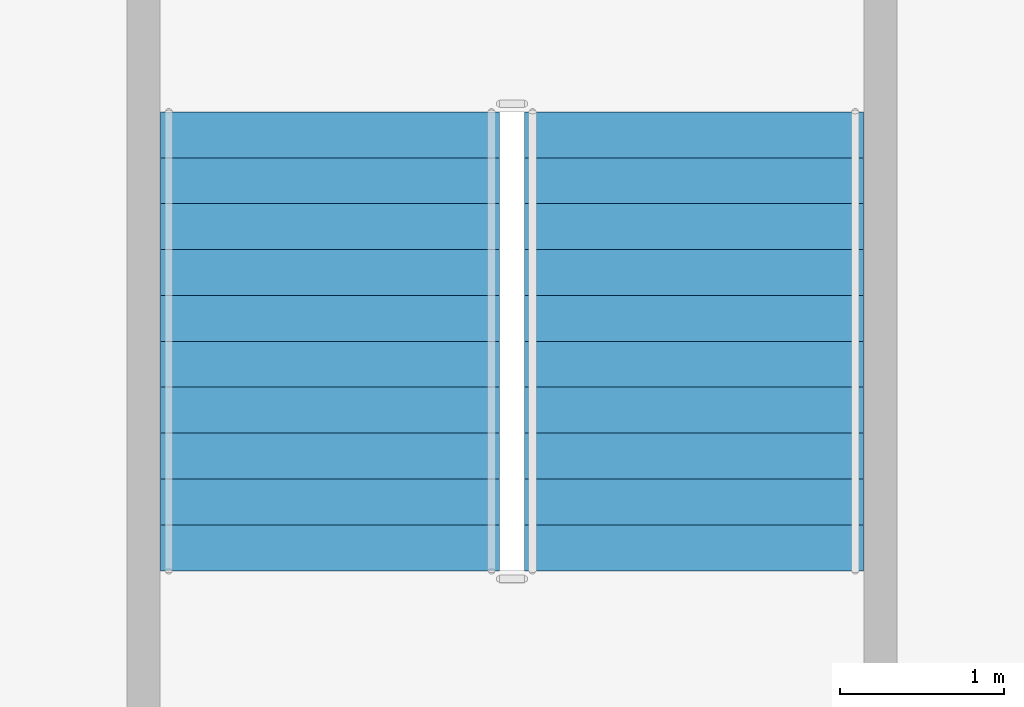
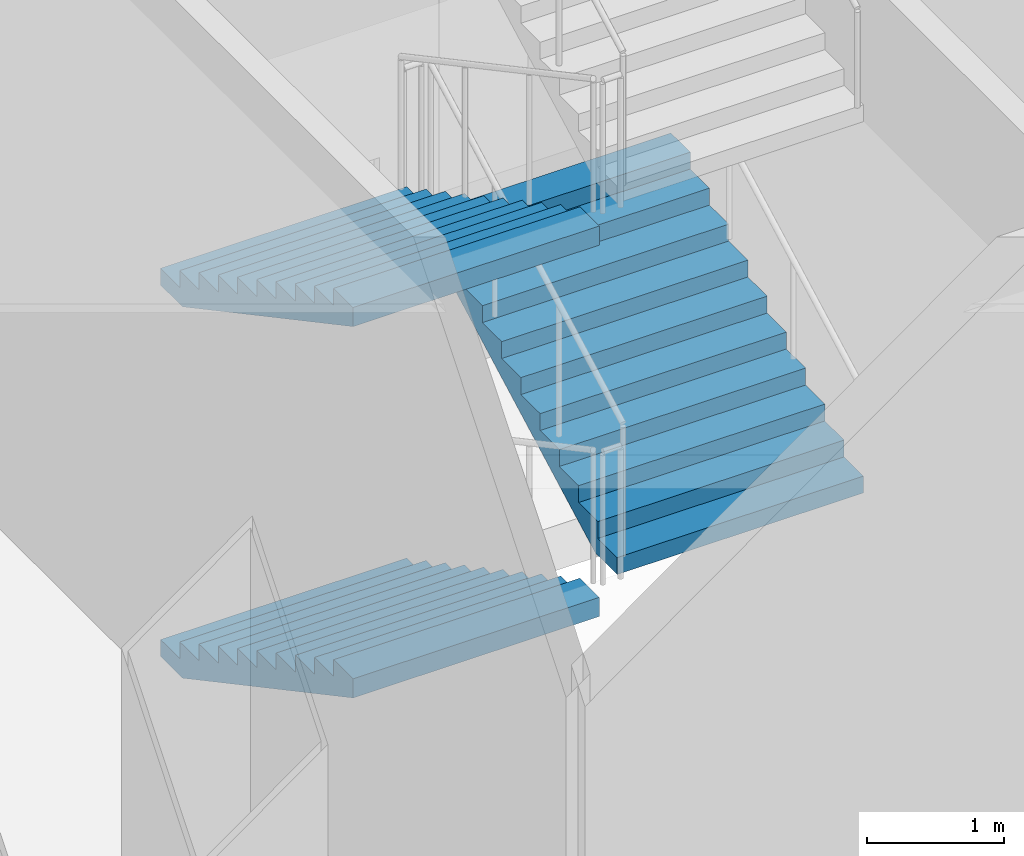
# One storey, part 26 of 38: 3 stair flights, 1 element without a shape of its own.
"""IFC4 building model written with IfcOpenShell, lengths in metres."""

import ifcopenshell
import ifcopenshell.guid

model = None  # the IFC model being written
_history = None  # IfcOwnerHistory: only IFC2X3 demands one
_inside = {}  # id of a spatial element -> (the spatial element, [elements in it])
_under = {}  # id of a project, library or spatial element -> (it, [spatial elements below it])
_declared = {}  # id of a project -> (the project, [libraries it declares])
_typed = {}  # id of a type object -> (the type object, [elements of that type])
_made_of = {}  # id of a material, layer set ... -> (it, [elements and type objects made of it])


def new_model(schema):
    """Start an empty IFC model of exactly this schema.

    Asked for "IFC4X3", IfcOpenShell would pick the latest addendum, in which some entities
    have other attributes; the version numbers below select the first issue.
    IFC2X3 requires an IfcOwnerHistory on every rooted entity: one is made here for all.
    """
    global model, _history
    if schema == "IFC4X3":
        model = ifcopenshell.file(schema_version=(4, 3, 0, 0))
    else:
        model = ifcopenshell.file(schema=schema)
    _inside.clear()
    _under.clear()
    _declared.clear()
    _typed.clear()
    _made_of.clear()
    _history = None
    if model.schema == "IFC2X3":
        org = make("IfcOrganization", Name="unknown")
        user = make(
            "IfcPersonAndOrganization",
            ThePerson=make("IfcPerson", FamilyName="unknown"),
            TheOrganization=org,
        )
        app = make(
            "IfcApplication",
            ApplicationDeveloper=org,
            Version="unknown",
            ApplicationFullName="unknown",
            ApplicationIdentifier="unknown",
        )
        _history = make(
            "IfcOwnerHistory",
            OwningUser=user,
            OwningApplication=app,
            ChangeAction="ADDED",
            CreationDate=0,
        )
    return model


def make(cls, **values):
    """One entity of the class cls with the attributes given. An attribute that is None is left unset."""
    return model.create_entity(
        cls, **{name: value for name, value in values.items() if value is not None}
    )


def rooted(cls, **values):
    """An entity with a GlobalId (a new one), such as an element, a storey or a relation."""
    return make(cls, GlobalId=ifcopenshell.guid.new(), OwnerHistory=_history, **values)


def si_unit(unit_type, name, prefix=None):
    """IfcSIUnit, for example si_unit("LENGTHUNIT", "METRE", prefix="MILLI")."""
    return make("IfcSIUnit", UnitType=unit_type, Prefix=prefix, Name=name)


def assignment(units):
    """IfcUnitAssignment: the units of a project."""
    return None if units is None else make("IfcUnitAssignment", Units=units)


def point(xyz):
    """IfcCartesianPoint."""
    return None if xyz is None else make("IfcCartesianPoint", Coordinates=xyz)


def direction(xyz):
    """IfcDirection."""
    return None if xyz is None else make("IfcDirection", DirectionRatios=xyz)


def frame(location, z_axis=None, x_axis=None):
    """IfcAxis2Placement3D, a coordinate frame: its origin and axes. An axis left out is left unset."""
    return make(
        "IfcAxis2Placement3D",
        Location=point(location),
        Axis=direction(z_axis),
        RefDirection=direction(x_axis),
    )


def origin():
    """The frame at (0, 0, 0) with its axes left unset."""
    return frame((0.0, 0.0, 0.0))


def place(relative_to, where):
    """IfcLocalPlacement: puts the frame where relative to a parent placement (None: the world)."""
    return make(
        "IfcLocalPlacement", PlacementRelTo=relative_to, RelativePlacement=where
    )


def context(
    kind, dimensions, precision=None, world=None, true_north=None, identifier=None
):
    """IfcGeometricRepresentationContext, for example the 3D "Model" context."""
    return make(
        "IfcGeometricRepresentationContext",
        ContextIdentifier=identifier,
        ContextType=kind,
        CoordinateSpaceDimension=dimensions,
        Precision=precision,
        WorldCoordinateSystem=world,
        TrueNorth=true_north,
    )


def subcontext(parent, identifier, kind, view, scale=None):
    """IfcGeometricRepresentationSubContext, for example "Body" below "Model"."""
    return make(
        "IfcGeometricRepresentationSubContext",
        ContextIdentifier=identifier,
        ContextType=kind,
        ParentContext=parent,
        TargetScale=scale,
        TargetView=view,
    )


def project(units=None, contexts=None):
    """IfcProject with its units and contexts."""
    return rooted(
        "IfcProject",
        Name="project",
        RepresentationContexts=contexts,
        UnitsInContext=assignment(units),
    )


def spatial(cls, under=None, at=None, **own):
    """A site, building, storey or space (cls), placed at a placement, below another one or the project."""
    s = rooted(cls, ObjectPlacement=at, **own)
    if under is not None:
        _under.setdefault(under.id(), (under, []))[1].append(s)
    return s


def point_list(points):
    """IfcCartesianPointList2D or 3D."""
    cls = (
        "IfcCartesianPointList2D" if len(points[0]) == 2 else "IfcCartesianPointList3D"
    )
    return make(cls, CoordList=points)


def polygons(points, faces, closed=None, point_numbers=None):
    """IfcPolygonalFaceSet: a face is its outer loop, then its inner loops; points numbered from 1."""
    made = []
    for loops in faces:
        if len(loops) == 1:
            made.append(make("IfcIndexedPolygonalFace", CoordIndex=loops[0]))
        else:
            made.append(
                make(
                    "IfcIndexedPolygonalFaceWithVoids",
                    CoordIndex=loops[0],
                    InnerCoordIndices=loops[1:],
                )
            )
    return make(
        "IfcPolygonalFaceSet",
        Coordinates=point_list(points),
        Closed=closed,
        Faces=made,
        PnIndex=point_numbers,
    )


def shape(context_of_items, identifier, shape_type, items):
    """IfcShapeRepresentation: the items that make up one representation, for example the "Body"."""
    return make(
        "IfcShapeRepresentation",
        ContextOfItems=context_of_items,
        RepresentationIdentifier=identifier,
        RepresentationType=shape_type,
        Items=items,
    )


def material(Name=None, Category=None):
    """IfcMaterial."""
    return make("IfcMaterial", Name=Name, Category=Category)


def made_of(thing, what):
    """Note that an element or type object is made of a material, layer set ...; save() writes the relation."""
    if what is not None:
        _made_of.setdefault(what.id(), (what, []))[1].append(thing)
    return thing


def type_object(cls, material=None, **own):
    """A type object (cls), such as IfcWallType, which elements share."""
    return made_of(rooted(cls, **own), material)


def element(
    cls,
    number,
    at=None,
    inside=None,
    cuts=None,
    type_object=None,
    material=None,
    context=None,
    identifier="Body",
    shape_type=None,
    held_by="IfcProductDefinitionShape",
    body=None,
    shapes=None,
    **own,
):
    """One element of the class cls, such as IfcWall. Its Tag is "e" and its number.

    at: its placement. inside: the storey or other place that contains it. cuts: it is an
    opening in that element (IfcRelVoidsElement). A single representation is given by context,
    identifier, shape_type and body (its items); several are given by shapes. held_by: the class
    of the entity that holds the representations. save() writes the other relations.
    """
    e = rooted(cls, Tag="e%d" % number, ObjectPlacement=at, **own)
    if body is not None:
        shapes = [shape(context, identifier, shape_type, body)]
    if shapes is not None:
        e.Representation = make(held_by, Representations=shapes)
    if inside is not None:
        _inside.setdefault(inside.id(), (inside, []))[1].append(e)
    if cuts is not None:
        rooted(
            "IfcRelVoidsElement", RelatingBuildingElement=cuts, RelatedOpeningElement=e
        )
    if type_object is not None:
        _typed.setdefault(type_object.id(), (type_object, []))[1].append(e)
    return made_of(e, material)


def aggregate(whole, parts):
    """IfcRelAggregates: a whole, such as a stair, and the parts it consists of."""
    return rooted("IfcRelAggregates", RelatingObject=whole, RelatedObjects=parts)


def save(model, path):
    """Write the relations noted so far, then the file.

    IfcRelAggregates (storeys below a building ...), IfcRelContainedInSpatialStructure (elements
    in a storey), IfcRelDefinesByType, IfcRelAssociatesMaterial and IfcRelDeclares: one each for
    every whole, place, type object, material and project.
    """
    for whole, parts in _under.values():
        aggregate(whole, parts)
    for where, things in _inside.values():
        rooted(
            "IfcRelContainedInSpatialStructure",
            RelatedElements=things,
            RelatingStructure=where,
        )
    for kind, things in _typed.values():
        rooted("IfcRelDefinesByType", RelatedObjects=things, RelatingType=kind)
    for what, things in _made_of.values():
        rooted("IfcRelAssociatesMaterial", RelatedObjects=things, RelatingMaterial=what)
    for by, libraries in _declared.values():
        rooted("IfcRelDeclares", RelatingContext=by, RelatedDefinitions=libraries)
    model.write(path)


model = new_model("IFC4")

# Units and contexts
model_context = context("Model", 3, precision=1e-05, world=origin(), true_north=direction((0.0, 1.0)))
body_context = subcontext(model_context, "Body", "Model", "MODEL_VIEW")
ifc_project = project(units=[si_unit("LENGTHUNIT", "METRE"), si_unit("AREAUNIT", "SQUARE_METRE"), si_unit("VOLUMEUNIT", "CUBIC_METRE"), si_unit("PLANEANGLEUNIT", "RADIAN"), si_unit("MASSUNIT", "GRAM", prefix="KILO")], contexts=[model_context])

# Site, building, storey
site_placement = place(None, origin())
site = spatial("IfcSite", under=ifc_project, at=site_placement, CompositionType="ELEMENT")
building_placement = place(site_placement, origin())
building = spatial("IfcBuilding", under=site, at=building_placement, Name="Caravel Reach Hotel and Residences", CompositionType="ELEMENT")
storey_placement = place(building_placement, origin())
storey = spatial("IfcBuildingStorey", under=building, at=storey_placement, Name="L00", CompositionType="ELEMENT", Elevation=0.0)

# Stair, stair flights
ifc_material_1 = material(Name="Concrete C40", Category="concrete")
stair_type = type_object("IfcStairType", Name="Core stair", PredefinedType="HALF_TURN_STAIR", material=ifc_material_1)
stair_placement = place(storey_placement, origin())
stair = element("IfcStair", 1, at=stair_placement, inside=storey, type_object=stair_type, Name="L00 Exit stair P2", PredefinedType="HALF_TURN_STAIR")
ifc_material_2 = material(Name="Concrete C40", Category="concrete")
stair_flight_type = type_object("IfcStairFlightType", Name="Core stair flight", PredefinedType="STRAIGHT", material=ifc_material_2)
stair_flight_1_placement = place(storey_placement, frame((52.889892578125, 41.010009765625, 0.0), z_axis=(0.0, 0.0, 1.0), x_axis=(0.0, -1.0, 0.0)))
stair_flight_1 = element("IfcStairFlight", 2, at=stair_flight_1_placement, type_object=stair_flight_type, Name="ST-P2 flight 1", NumberOfRisers=11, NumberOfTreads=10, PredefinedType="STRAIGHT", RiserHeight=0.15, TreadLength=0.28, context=body_context, shape_type="Tessellation", body=[
    polygons([(0.3174408016601862, 1.0350341796875, 0.0), (0.3174408016601862, 0.6900227864583333, 0.0), (0.3174408016601862, 0.34501139322916663, 0.0), (0.3174408016601862, 0.0, 0.0), (0.3174408016601862, -0.34501139322916674, 0.0), (0.3174408016601862, -0.6900227864583333, 0.0), (0.3174408016601862, -1.0350341796875, 0.0), (2.801, 1.0350341796875, 1.329942427682043), (2.801, 0.6900227864583333, 1.329942427682043), (2.801, 0.34501139322916663, 1.329942427682043), (2.801, 0.0, 1.329942427682043), (2.801, -0.34501139322916674, 1.329942427682043), (2.801, -0.6900227864583333, 1.329942427682043), (2.801, -1.0350341796875, 1.329942427682043), (2.801, 1.0350341796875, 1.5), (2.801, 0.6900227864583333, 1.5), (2.801, 0.34501139322916663, 1.5), (2.801, 0.0, 1.5), (2.801, -0.34501139322916674, 1.5), (2.801, -0.6900227864583333, 1.5), (2.801, -1.0350341796875, 1.5), (2.5200000000000005, 1.0350341796875, 1.5), (2.5200000000000005, 0.6900227864583333, 1.5), (2.5200000000000005, 0.34501139322916663, 1.5), (2.5200000000000005, 0.0, 1.5), (2.5200000000000005, -0.34501139322916674, 1.5), (2.5200000000000005, -0.6900227864583333, 1.5), (2.5200000000000005, -1.0350341796875, 1.5), (2.5200000000000005, 1.0350341796875, 1.3499999999999999), (2.5200000000000005, 0.6900227864583333, 1.3499999999999999), (2.5200000000000005, 0.34501139322916663, 1.3499999999999999), (2.5200000000000005, 0.0, 1.3499999999999999), (2.5200000000000005, -0.34501139322916674, 1.3499999999999999), (2.5200000000000005, -0.6900227864583333, 1.3499999999999999), (2.5200000000000005, -1.0350341796875, 1.3499999999999999), (2.24, 1.0350341796875, 1.3499999999999999), (2.24, 0.6900227864583333, 1.3499999999999999), (2.24, 0.34501139322916663, 1.3499999999999999), (2.24, 0.0, 1.3499999999999999), (2.24, -0.34501139322916674, 1.3499999999999999), (2.24, -0.6900227864583333, 1.3499999999999999), (2.24, -1.0350341796875, 1.3499999999999999), (2.24, 1.0350341796875, 1.2), (2.24, 0.6900227864583333, 1.2), (2.24, 0.34501139322916663, 1.2), (2.24, 0.0, 1.2), (2.24, -0.34501139322916674, 1.2), (2.24, -0.6900227864583333, 1.2), (2.24, -1.0350341796875, 1.2), (1.9600000000000002, 1.0350341796875, 1.2), (1.9600000000000002, 0.6900227864583333, 1.2), (1.9600000000000002, 0.34501139322916663, 1.2), (1.9600000000000002, 0.0, 1.2), (1.9600000000000002, -0.34501139322916674, 1.2), (1.9600000000000002, -0.6900227864583333, 1.2), (1.9600000000000002, -1.0350341796875, 1.2), (1.9600000000000002, 1.0350341796875, 1.05), (1.9600000000000002, 0.6900227864583333, 1.05), (1.9600000000000002, 0.34501139322916663, 1.05), (1.9600000000000002, 0.0, 1.05), (1.9600000000000002, -0.34501139322916674, 1.05), (1.9600000000000002, -0.6900227864583333, 1.05), (1.9600000000000002, -1.0350341796875, 1.05), (1.6800000000000002, 1.0350341796875, 1.05), (1.6800000000000002, 0.6900227864583333, 1.05), (1.6800000000000002, 0.34501139322916663, 1.05), (1.6800000000000002, 0.0, 1.05), (1.6800000000000002, -0.34501139322916674, 1.05), (1.6800000000000002, -0.6900227864583333, 1.05), (1.6800000000000002, -1.0350341796875, 1.05), (1.6800000000000002, 1.0350341796875, 0.8999999999999999), (1.6800000000000002, 0.6900227864583333, 0.8999999999999999), (1.6800000000000002, 0.34501139322916663, 0.8999999999999999), (1.6800000000000002, 0.0, 0.8999999999999999), (1.6800000000000002, -0.34501139322916674, 0.8999999999999999), (1.6800000000000002, -0.6900227864583333, 0.8999999999999999), (1.6800000000000002, -1.0350341796875, 0.8999999999999999), (1.4000000000000001, 1.0350341796875, 0.8999999999999999), (1.4000000000000001, 0.6900227864583333, 0.8999999999999999), (1.4000000000000001, 0.34501139322916663, 0.8999999999999999), (1.4000000000000001, 0.0, 0.8999999999999999), (1.4000000000000001, -0.34501139322916674, 0.8999999999999999), (1.4000000000000001, -0.6900227864583333, 0.8999999999999999), (1.4000000000000001, -1.0350341796875, 0.8999999999999999), (1.4000000000000001, 1.0350341796875, 0.75), (1.4000000000000001, 0.6900227864583333, 0.75), (1.4000000000000001, 0.34501139322916663, 0.75), (1.4000000000000001, 0.0, 0.75), (1.4000000000000001, -0.34501139322916674, 0.75), (1.4000000000000001, -0.6900227864583333, 0.75), (1.4000000000000001, -1.0350341796875, 0.75), (1.12, 1.0350341796875, 0.75), (1.12, 0.6900227864583333, 0.75), (1.12, 0.34501139322916663, 0.75), (1.12, 0.0, 0.75), (1.12, -0.34501139322916674, 0.75), (1.12, -0.6900227864583333, 0.75), (1.12, -1.0350341796875, 0.75), (1.12, 1.0350341796875, 0.6), (1.12, 0.6900227864583333, 0.6), (1.12, 0.34501139322916663, 0.6), (1.12, 0.0, 0.6), (1.12, -0.34501139322916674, 0.6), (1.12, -0.6900227864583333, 0.6), (1.12, -1.0350341796875, 0.6), (0.8400000000000001, 1.0350341796875, 0.6), (0.8400000000000001, 0.6900227864583333, 0.6), (0.8400000000000001, 0.34501139322916663, 0.6), (0.8400000000000001, 0.0, 0.6), (0.8400000000000001, -0.34501139322916674, 0.6), (0.8400000000000001, -0.6900227864583333, 0.6), (0.8400000000000001, -1.0350341796875, 0.6), (0.8400000000000001, 1.0350341796875, 0.44999999999999996), (0.8400000000000001, 0.6900227864583333, 0.44999999999999996), (0.8400000000000001, 0.34501139322916663, 0.44999999999999996), (0.8400000000000001, 0.0, 0.44999999999999996), (0.8400000000000001, -0.34501139322916674, 0.44999999999999996), (0.8400000000000001, -0.6900227864583333, 0.44999999999999996), (0.8400000000000001, -1.0350341796875, 0.44999999999999996), (0.56, 1.0350341796875, 0.44999999999999996), (0.56, 0.6900227864583333, 0.44999999999999996), (0.56, 0.34501139322916663, 0.44999999999999996), (0.56, 0.0, 0.44999999999999996), (0.56, -0.34501139322916674, 0.44999999999999996), (0.56, -0.6900227864583333, 0.44999999999999996), (0.56, -1.0350341796875, 0.44999999999999996), (0.56, 1.0350341796875, 0.3), (0.56, 0.6900227864583333, 0.3), (0.56, 0.34501139322916663, 0.3), (0.56, 0.0, 0.3), (0.56, -0.34501139322916674, 0.3), (0.56, -0.6900227864583333, 0.3), (0.56, -1.0350341796875, 0.3), (0.28, 1.0350341796875, 0.3), (0.28, 0.6900227864583333, 0.3), (0.28, 0.34501139322916663, 0.3), (0.28, 0.0, 0.3), (0.28, -0.34501139322916674, 0.3), (0.28, -0.6900227864583333, 0.3), (0.28, -1.0350341796875, 0.3), (0.28, 1.0350341796875, 0.15), (0.28, 0.6900227864583333, 0.15), (0.28, 0.34501139322916663, 0.15), (0.28, 0.0, 0.15), (0.28, -0.34501139322916674, 0.15), (0.28, -0.6900227864583333, 0.15), (0.28, -1.0350341796875, 0.15), (-0.001, 1.0350341796875, 0.15), (-0.001, 0.6900227864583333, 0.15), (-0.001, 0.34501139322916663, 0.15), (-0.001, 0.0, 0.15), (-0.001, -0.34501139322916674, 0.15), (-0.001, -0.6900227864583333, 0.15), (-0.001, -1.0350341796875, 0.15), (-0.001, 1.0350341796875, 0.0), (-0.001, 0.6900227864583333, 0.0), (-0.001, 0.34501139322916663, 0.0), (-0.001, 0.0, 0.0), (-0.001, -0.34501139322916674, 0.0), (-0.001, -0.6900227864583333, 0.0), (-0.001, -1.0350341796875, 0.0)], [[[155, 148, 141, 134, 127, 120, 113, 106, 99, 92, 85, 78, 71, 64, 57, 50, 43, 36, 29, 22, 15, 8, 1]], [[7, 14, 21, 28, 35, 42, 49, 56, 63, 70, 77, 84, 91, 98, 105, 112, 119, 126, 133, 140, 147, 154, 161]], [[1, 8, 9, 2]], [[2, 9, 10, 3]], [[3, 10, 11, 4]], [[4, 11, 12, 5]], [[5, 12, 13, 6]], [[6, 13, 14, 7]], [[8, 15, 16, 9]], [[9, 16, 17, 10]], [[10, 17, 18, 11]], [[11, 18, 19, 12]], [[12, 19, 20, 13]], [[13, 20, 21, 14]], [[15, 22, 23, 16]], [[16, 23, 24, 17]], [[17, 24, 25, 18]], [[18, 25, 26, 19]], [[19, 26, 27, 20]], [[20, 27, 28, 21]], [[22, 29, 30, 23]], [[23, 30, 31, 24]], [[24, 31, 32, 25]], [[25, 32, 33, 26]], [[26, 33, 34, 27]], [[27, 34, 35, 28]], [[29, 36, 37, 30]], [[30, 37, 38, 31]], [[31, 38, 39, 32]], [[32, 39, 40, 33]], [[33, 40, 41, 34]], [[34, 41, 42, 35]], [[36, 43, 44, 37]], [[37, 44, 45, 38]], [[38, 45, 46, 39]], [[39, 46, 47, 40]], [[40, 47, 48, 41]], [[41, 48, 49, 42]], [[43, 50, 51, 44]], [[44, 51, 52, 45]], [[45, 52, 53, 46]], [[46, 53, 54, 47]], [[47, 54, 55, 48]], [[48, 55, 56, 49]], [[50, 57, 58, 51]], [[51, 58, 59, 52]], [[52, 59, 60, 53]], [[53, 60, 61, 54]], [[54, 61, 62, 55]], [[55, 62, 63, 56]], [[57, 64, 65, 58]], [[58, 65, 66, 59]], [[59, 66, 67, 60]], [[60, 67, 68, 61]], [[61, 68, 69, 62]], [[62, 69, 70, 63]], [[64, 71, 72, 65]], [[65, 72, 73, 66]], [[66, 73, 74, 67]], [[67, 74, 75, 68]], [[68, 75, 76, 69]], [[69, 76, 77, 70]], [[71, 78, 79, 72]], [[72, 79, 80, 73]], [[73, 80, 81, 74]], [[74, 81, 82, 75]], [[75, 82, 83, 76]], [[76, 83, 84, 77]], [[78, 85, 86, 79]], [[79, 86, 87, 80]], [[80, 87, 88, 81]], [[81, 88, 89, 82]], [[82, 89, 90, 83]], [[83, 90, 91, 84]], [[85, 92, 93, 86]], [[86, 93, 94, 87]], [[87, 94, 95, 88]], [[88, 95, 96, 89]], [[89, 96, 97, 90]], [[90, 97, 98, 91]], [[92, 99, 100, 93]], [[93, 100, 101, 94]], [[94, 101, 102, 95]], [[95, 102, 103, 96]], [[96, 103, 104, 97]], [[97, 104, 105, 98]], [[99, 106, 107, 100]], [[100, 107, 108, 101]], [[101, 108, 109, 102]], [[102, 109, 110, 103]], [[103, 110, 111, 104]], [[104, 111, 112, 105]], [[106, 113, 114, 107]], [[107, 114, 115, 108]], [[108, 115, 116, 109]], [[109, 116, 117, 110]], [[110, 117, 118, 111]], [[111, 118, 119, 112]], [[113, 120, 121, 114]], [[114, 121, 122, 115]], [[115, 122, 123, 116]], [[116, 123, 124, 117]], [[117, 124, 125, 118]], [[118, 125, 126, 119]], [[120, 127, 128, 121]], [[121, 128, 129, 122]], [[122, 129, 130, 123]], [[123, 130, 131, 124]], [[124, 131, 132, 125]], [[125, 132, 133, 126]], [[127, 134, 135, 128]], [[128, 135, 136, 129]], [[129, 136, 137, 130]], [[130, 137, 138, 131]], [[131, 138, 139, 132]], [[132, 139, 140, 133]], [[134, 141, 142, 135]], [[135, 142, 143, 136]], [[136, 143, 144, 137]], [[137, 144, 145, 138]], [[138, 145, 146, 139]], [[139, 146, 147, 140]], [[141, 148, 149, 142]], [[142, 149, 150, 143]], [[143, 150, 151, 144]], [[144, 151, 152, 145]], [[145, 152, 153, 146]], [[146, 153, 154, 147]], [[148, 155, 156, 149]], [[149, 156, 157, 150]], [[150, 157, 158, 151]], [[151, 158, 159, 152]], [[152, 159, 160, 153]], [[153, 160, 161, 154]], [[155, 1, 2, 156]], [[156, 2, 3, 157]], [[157, 3, 4, 158]], [[158, 4, 5, 159]], [[159, 5, 6, 160]], [[160, 6, 7, 161]]], closed=True),
])
stair_flight_2_placement = place(storey_placement, frame((55.110107421875, 38.2099609375, 1.64990234375), z_axis=(0.0, 0.0, 1.0), x_axis=(0.0, 1.0, 0.0)))
stair_flight_2 = element("IfcStairFlight", 3, at=stair_flight_2_placement, type_object=stair_flight_type, Name="ST-P2 flight 2", NumberOfRisers=11, NumberOfTreads=10, PredefinedType="STRAIGHT", RiserHeight=0.15, TreadLength=0.28, context=body_context, shape_type="Tessellation", body=[
    polygons([(0.3174408016601862, 1.0350341796875, 0.0), (0.3174408016601862, 0.6900227864583333, 0.0), (0.3174408016601862, 0.34501139322916663, 0.0), (0.3174408016601862, 0.0, 0.0), (0.3174408016601862, -0.34501139322916674, 0.0), (0.3174408016601862, -0.6900227864583333, 0.0), (0.3174408016601862, -1.0350341796875, 0.0), (2.801, 1.0350341796875, 1.329942427682043), (2.801, 0.6900227864583333, 1.329942427682043), (2.801, 0.34501139322916663, 1.329942427682043), (2.801, 0.0, 1.329942427682043), (2.801, -0.34501139322916674, 1.329942427682043), (2.801, -0.6900227864583333, 1.329942427682043), (2.801, -1.0350341796875, 1.329942427682043), (2.801, 1.0350341796875, 1.5), (2.801, 0.6900227864583333, 1.5), (2.801, 0.34501139322916663, 1.5), (2.801, 0.0, 1.5), (2.801, -0.34501139322916674, 1.5), (2.801, -0.6900227864583333, 1.5), (2.801, -1.0350341796875, 1.5), (2.5200000000000005, 1.0350341796875, 1.5), (2.5200000000000005, 0.6900227864583333, 1.5), (2.5200000000000005, 0.34501139322916663, 1.5), (2.5200000000000005, 0.0, 1.5), (2.5200000000000005, -0.34501139322916674, 1.5), (2.5200000000000005, -0.6900227864583333, 1.5), (2.5200000000000005, -1.0350341796875, 1.5), (2.5200000000000005, 1.0350341796875, 1.3499999999999999), (2.5200000000000005, 0.6900227864583333, 1.3499999999999999), (2.5200000000000005, 0.34501139322916663, 1.3499999999999999), (2.5200000000000005, 0.0, 1.3499999999999999), (2.5200000000000005, -0.34501139322916674, 1.3499999999999999), (2.5200000000000005, -0.6900227864583333, 1.3499999999999999), (2.5200000000000005, -1.0350341796875, 1.3499999999999999), (2.24, 1.0350341796875, 1.3499999999999999), (2.24, 0.6900227864583333, 1.3499999999999999), (2.24, 0.34501139322916663, 1.3499999999999999), (2.24, 0.0, 1.3499999999999999), (2.24, -0.34501139322916674, 1.3499999999999999), (2.24, -0.6900227864583333, 1.3499999999999999), (2.24, -1.0350341796875, 1.3499999999999999), (2.24, 1.0350341796875, 1.2), (2.24, 0.6900227864583333, 1.2), (2.24, 0.34501139322916663, 1.2), (2.24, 0.0, 1.2), (2.24, -0.34501139322916674, 1.2), (2.24, -0.6900227864583333, 1.2), (2.24, -1.0350341796875, 1.2), (1.9600000000000002, 1.0350341796875, 1.2), (1.9600000000000002, 0.6900227864583333, 1.2), (1.9600000000000002, 0.34501139322916663, 1.2), (1.9600000000000002, 0.0, 1.2), (1.9600000000000002, -0.34501139322916674, 1.2), (1.9600000000000002, -0.6900227864583333, 1.2), (1.9600000000000002, -1.0350341796875, 1.2), (1.9600000000000002, 1.0350341796875, 1.05), (1.9600000000000002, 0.6900227864583333, 1.05), (1.9600000000000002, 0.34501139322916663, 1.05), (1.9600000000000002, 0.0, 1.05), (1.9600000000000002, -0.34501139322916674, 1.05), (1.9600000000000002, -0.6900227864583333, 1.05), (1.9600000000000002, -1.0350341796875, 1.05), (1.6800000000000002, 1.0350341796875, 1.05), (1.6800000000000002, 0.6900227864583333, 1.05), (1.6800000000000002, 0.34501139322916663, 1.05), (1.6800000000000002, 0.0, 1.05), (1.6800000000000002, -0.34501139322916674, 1.05), (1.6800000000000002, -0.6900227864583333, 1.05), (1.6800000000000002, -1.0350341796875, 1.05), (1.6800000000000002, 1.0350341796875, 0.8999999999999999), (1.6800000000000002, 0.6900227864583333, 0.8999999999999999), (1.6800000000000002, 0.34501139322916663, 0.8999999999999999), (1.6800000000000002, 0.0, 0.8999999999999999), (1.6800000000000002, -0.34501139322916674, 0.8999999999999999), (1.6800000000000002, -0.6900227864583333, 0.8999999999999999), (1.6800000000000002, -1.0350341796875, 0.8999999999999999), (1.4000000000000001, 1.0350341796875, 0.8999999999999999), (1.4000000000000001, 0.6900227864583333, 0.8999999999999999), (1.4000000000000001, 0.34501139322916663, 0.8999999999999999), (1.4000000000000001, 0.0, 0.8999999999999999), (1.4000000000000001, -0.34501139322916674, 0.8999999999999999), (1.4000000000000001, -0.6900227864583333, 0.8999999999999999), (1.4000000000000001, -1.0350341796875, 0.8999999999999999), (1.4000000000000001, 1.0350341796875, 0.75), (1.4000000000000001, 0.6900227864583333, 0.75), (1.4000000000000001, 0.34501139322916663, 0.75), (1.4000000000000001, 0.0, 0.75), (1.4000000000000001, -0.34501139322916674, 0.75), (1.4000000000000001, -0.6900227864583333, 0.75), (1.4000000000000001, -1.0350341796875, 0.75), (1.12, 1.0350341796875, 0.75), (1.12, 0.6900227864583333, 0.75), (1.12, 0.34501139322916663, 0.75), (1.12, 0.0, 0.75), (1.12, -0.34501139322916674, 0.75), (1.12, -0.6900227864583333, 0.75), (1.12, -1.0350341796875, 0.75), (1.12, 1.0350341796875, 0.6), (1.12, 0.6900227864583333, 0.6), (1.12, 0.34501139322916663, 0.6), (1.12, 0.0, 0.6), (1.12, -0.34501139322916674, 0.6), (1.12, -0.6900227864583333, 0.6), (1.12, -1.0350341796875, 0.6), (0.8400000000000001, 1.0350341796875, 0.6), (0.8400000000000001, 0.6900227864583333, 0.6), (0.8400000000000001, 0.34501139322916663, 0.6), (0.8400000000000001, 0.0, 0.6), (0.8400000000000001, -0.34501139322916674, 0.6), (0.8400000000000001, -0.6900227864583333, 0.6), (0.8400000000000001, -1.0350341796875, 0.6), (0.8400000000000001, 1.0350341796875, 0.44999999999999996), (0.8400000000000001, 0.6900227864583333, 0.44999999999999996), (0.8400000000000001, 0.34501139322916663, 0.44999999999999996), (0.8400000000000001, 0.0, 0.44999999999999996), (0.8400000000000001, -0.34501139322916674, 0.44999999999999996), (0.8400000000000001, -0.6900227864583333, 0.44999999999999996), (0.8400000000000001, -1.0350341796875, 0.44999999999999996), (0.56, 1.0350341796875, 0.44999999999999996), (0.56, 0.6900227864583333, 0.44999999999999996), (0.56, 0.34501139322916663, 0.44999999999999996), (0.56, 0.0, 0.44999999999999996), (0.56, -0.34501139322916674, 0.44999999999999996), (0.56, -0.6900227864583333, 0.44999999999999996), (0.56, -1.0350341796875, 0.44999999999999996), (0.56, 1.0350341796875, 0.3), (0.56, 0.6900227864583333, 0.3), (0.56, 0.34501139322916663, 0.3), (0.56, 0.0, 0.3), (0.56, -0.34501139322916674, 0.3), (0.56, -0.6900227864583333, 0.3), (0.56, -1.0350341796875, 0.3), (0.28, 1.0350341796875, 0.3), (0.28, 0.6900227864583333, 0.3), (0.28, 0.34501139322916663, 0.3), (0.28, 0.0, 0.3), (0.28, -0.34501139322916674, 0.3), (0.28, -0.6900227864583333, 0.3), (0.28, -1.0350341796875, 0.3), (0.28, 1.0350341796875, 0.15), (0.28, 0.6900227864583333, 0.15), (0.28, 0.34501139322916663, 0.15), (0.28, 0.0, 0.15), (0.28, -0.34501139322916674, 0.15), (0.28, -0.6900227864583333, 0.15), (0.28, -1.0350341796875, 0.15), (-0.001, 1.0350341796875, 0.15), (-0.001, 0.6900227864583333, 0.15), (-0.001, 0.34501139322916663, 0.15), (-0.001, 0.0, 0.15), (-0.001, -0.34501139322916674, 0.15), (-0.001, -0.6900227864583333, 0.15), (-0.001, -1.0350341796875, 0.15), (-0.001, 1.0350341796875, 0.0), (-0.001, 0.6900227864583333, 0.0), (-0.001, 0.34501139322916663, 0.0), (-0.001, 0.0, 0.0), (-0.001, -0.34501139322916674, 0.0), (-0.001, -0.6900227864583333, 0.0), (-0.001, -1.0350341796875, 0.0)], [[[155, 148, 141, 134, 127, 120, 113, 106, 99, 92, 85, 78, 71, 64, 57, 50, 43, 36, 29, 22, 15, 8, 1]], [[7, 14, 21, 28, 35, 42, 49, 56, 63, 70, 77, 84, 91, 98, 105, 112, 119, 126, 133, 140, 147, 154, 161]], [[1, 8, 9, 2]], [[2, 9, 10, 3]], [[3, 10, 11, 4]], [[4, 11, 12, 5]], [[5, 12, 13, 6]], [[6, 13, 14, 7]], [[8, 15, 16, 9]], [[9, 16, 17, 10]], [[10, 17, 18, 11]], [[11, 18, 19, 12]], [[12, 19, 20, 13]], [[13, 20, 21, 14]], [[15, 22, 23, 16]], [[16, 23, 24, 17]], [[17, 24, 25, 18]], [[18, 25, 26, 19]], [[19, 26, 27, 20]], [[20, 27, 28, 21]], [[22, 29, 30, 23]], [[23, 30, 31, 24]], [[24, 31, 32, 25]], [[25, 32, 33, 26]], [[26, 33, 34, 27]], [[27, 34, 35, 28]], [[29, 36, 37, 30]], [[30, 37, 38, 31]], [[31, 38, 39, 32]], [[32, 39, 40, 33]], [[33, 40, 41, 34]], [[34, 41, 42, 35]], [[36, 43, 44, 37]], [[37, 44, 45, 38]], [[38, 45, 46, 39]], [[39, 46, 47, 40]], [[40, 47, 48, 41]], [[41, 48, 49, 42]], [[43, 50, 51, 44]], [[44, 51, 52, 45]], [[45, 52, 53, 46]], [[46, 53, 54, 47]], [[47, 54, 55, 48]], [[48, 55, 56, 49]], [[50, 57, 58, 51]], [[51, 58, 59, 52]], [[52, 59, 60, 53]], [[53, 60, 61, 54]], [[54, 61, 62, 55]], [[55, 62, 63, 56]], [[57, 64, 65, 58]], [[58, 65, 66, 59]], [[59, 66, 67, 60]], [[60, 67, 68, 61]], [[61, 68, 69, 62]], [[62, 69, 70, 63]], [[64, 71, 72, 65]], [[65, 72, 73, 66]], [[66, 73, 74, 67]], [[67, 74, 75, 68]], [[68, 75, 76, 69]], [[69, 76, 77, 70]], [[71, 78, 79, 72]], [[72, 79, 80, 73]], [[73, 80, 81, 74]], [[74, 81, 82, 75]], [[75, 82, 83, 76]], [[76, 83, 84, 77]], [[78, 85, 86, 79]], [[79, 86, 87, 80]], [[80, 87, 88, 81]], [[81, 88, 89, 82]], [[82, 89, 90, 83]], [[83, 90, 91, 84]], [[85, 92, 93, 86]], [[86, 93, 94, 87]], [[87, 94, 95, 88]], [[88, 95, 96, 89]], [[89, 96, 97, 90]], [[90, 97, 98, 91]], [[92, 99, 100, 93]], [[93, 100, 101, 94]], [[94, 101, 102, 95]], [[95, 102, 103, 96]], [[96, 103, 104, 97]], [[97, 104, 105, 98]], [[99, 106, 107, 100]], [[100, 107, 108, 101]], [[101, 108, 109, 102]], [[102, 109, 110, 103]], [[103, 110, 111, 104]], [[104, 111, 112, 105]], [[106, 113, 114, 107]], [[107, 114, 115, 108]], [[108, 115, 116, 109]], [[109, 116, 117, 110]], [[110, 117, 118, 111]], [[111, 118, 119, 112]], [[113, 120, 121, 114]], [[114, 121, 122, 115]], [[115, 122, 123, 116]], [[116, 123, 124, 117]], [[117, 124, 125, 118]], [[118, 125, 126, 119]], [[120, 127, 128, 121]], [[121, 128, 129, 122]], [[122, 129, 130, 123]], [[123, 130, 131, 124]], [[124, 131, 132, 125]], [[125, 132, 133, 126]], [[127, 134, 135, 128]], [[128, 135, 136, 129]], [[129, 136, 137, 130]], [[130, 137, 138, 131]], [[131, 138, 139, 132]], [[132, 139, 140, 133]], [[134, 141, 142, 135]], [[135, 142, 143, 136]], [[136, 143, 144, 137]], [[137, 144, 145, 138]], [[138, 145, 146, 139]], [[139, 146, 147, 140]], [[141, 148, 149, 142]], [[142, 149, 150, 143]], [[143, 150, 151, 144]], [[144, 151, 152, 145]], [[145, 152, 153, 146]], [[146, 153, 154, 147]], [[148, 155, 156, 149]], [[149, 156, 157, 150]], [[150, 157, 158, 151]], [[151, 158, 159, 152]], [[152, 159, 160, 153]], [[153, 160, 161, 154]], [[155, 1, 2, 156]], [[156, 2, 3, 157]], [[157, 3, 4, 158]], [[158, 4, 5, 159]], [[159, 5, 6, 160]], [[160, 6, 7, 161]]], closed=True),
])
stair_flight_3_placement = place(storey_placement, frame((52.889892578125, 41.010009765625, 3.300048828125), z_axis=(0.0, 0.0, 1.0), x_axis=(0.0, -1.0, 0.0)))
stair_flight_3 = element("IfcStairFlight", 4, at=stair_flight_3_placement, type_object=stair_flight_type, Name="ST-P2 flight 3", NumberOfRisers=11, NumberOfTreads=10, PredefinedType="STRAIGHT", RiserHeight=0.15, TreadLength=0.28, context=body_context, shape_type="Tessellation", body=[
    polygons([(0.3174408016601862, 1.0350341796875, 0.0), (0.3174408016601862, 0.6900227864583333, 0.0), (0.3174408016601862, 0.34501139322916663, 0.0), (0.3174408016601862, 0.0, 0.0), (0.3174408016601862, -0.34501139322916674, 0.0), (0.3174408016601862, -0.6900227864583333, 0.0), (0.3174408016601862, -1.0350341796875, 0.0), (2.801, 1.0350341796875, 1.329942427682043), (2.801, 0.6900227864583333, 1.329942427682043), (2.801, 0.34501139322916663, 1.329942427682043), (2.801, 0.0, 1.329942427682043), (2.801, -0.34501139322916674, 1.329942427682043), (2.801, -0.6900227864583333, 1.329942427682043), (2.801, -1.0350341796875, 1.329942427682043), (2.801, 1.0350341796875, 1.5), (2.801, 0.6900227864583333, 1.5), (2.801, 0.34501139322916663, 1.5), (2.801, 0.0, 1.5), (2.801, -0.34501139322916674, 1.5), (2.801, -0.6900227864583333, 1.5), (2.801, -1.0350341796875, 1.5), (2.5200000000000005, 1.0350341796875, 1.5), (2.5200000000000005, 0.6900227864583333, 1.5), (2.5200000000000005, 0.34501139322916663, 1.5), (2.5200000000000005, 0.0, 1.5), (2.5200000000000005, -0.34501139322916674, 1.5), (2.5200000000000005, -0.6900227864583333, 1.5), (2.5200000000000005, -1.0350341796875, 1.5), (2.5200000000000005, 1.0350341796875, 1.3499999999999999), (2.5200000000000005, 0.6900227864583333, 1.3499999999999999), (2.5200000000000005, 0.34501139322916663, 1.3499999999999999), (2.5200000000000005, 0.0, 1.3499999999999999), (2.5200000000000005, -0.34501139322916674, 1.3499999999999999), (2.5200000000000005, -0.6900227864583333, 1.3499999999999999), (2.5200000000000005, -1.0350341796875, 1.3499999999999999), (2.24, 1.0350341796875, 1.3499999999999999), (2.24, 0.6900227864583333, 1.3499999999999999), (2.24, 0.34501139322916663, 1.3499999999999999), (2.24, 0.0, 1.3499999999999999), (2.24, -0.34501139322916674, 1.3499999999999999), (2.24, -0.6900227864583333, 1.3499999999999999), (2.24, -1.0350341796875, 1.3499999999999999), (2.24, 1.0350341796875, 1.2), (2.24, 0.6900227864583333, 1.2), (2.24, 0.34501139322916663, 1.2), (2.24, 0.0, 1.2), (2.24, -0.34501139322916674, 1.2), (2.24, -0.6900227864583333, 1.2), (2.24, -1.0350341796875, 1.2), (1.9600000000000002, 1.0350341796875, 1.2), (1.9600000000000002, 0.6900227864583333, 1.2), (1.9600000000000002, 0.34501139322916663, 1.2), (1.9600000000000002, 0.0, 1.2), (1.9600000000000002, -0.34501139322916674, 1.2), (1.9600000000000002, -0.6900227864583333, 1.2), (1.9600000000000002, -1.0350341796875, 1.2), (1.9600000000000002, 1.0350341796875, 1.05), (1.9600000000000002, 0.6900227864583333, 1.05), (1.9600000000000002, 0.34501139322916663, 1.05), (1.9600000000000002, 0.0, 1.05), (1.9600000000000002, -0.34501139322916674, 1.05), (1.9600000000000002, -0.6900227864583333, 1.05), (1.9600000000000002, -1.0350341796875, 1.05), (1.6800000000000002, 1.0350341796875, 1.05), (1.6800000000000002, 0.6900227864583333, 1.05), (1.6800000000000002, 0.34501139322916663, 1.05), (1.6800000000000002, 0.0, 1.05), (1.6800000000000002, -0.34501139322916674, 1.05), (1.6800000000000002, -0.6900227864583333, 1.05), (1.6800000000000002, -1.0350341796875, 1.05), (1.6800000000000002, 1.0350341796875, 0.8999999999999999), (1.6800000000000002, 0.6900227864583333, 0.8999999999999999), (1.6800000000000002, 0.34501139322916663, 0.8999999999999999), (1.6800000000000002, 0.0, 0.8999999999999999), (1.6800000000000002, -0.34501139322916674, 0.8999999999999999), (1.6800000000000002, -0.6900227864583333, 0.8999999999999999), (1.6800000000000002, -1.0350341796875, 0.8999999999999999), (1.4000000000000001, 1.0350341796875, 0.8999999999999999), (1.4000000000000001, 0.6900227864583333, 0.8999999999999999), (1.4000000000000001, 0.34501139322916663, 0.8999999999999999), (1.4000000000000001, 0.0, 0.8999999999999999), (1.4000000000000001, -0.34501139322916674, 0.8999999999999999), (1.4000000000000001, -0.6900227864583333, 0.8999999999999999), (1.4000000000000001, -1.0350341796875, 0.8999999999999999), (1.4000000000000001, 1.0350341796875, 0.75), (1.4000000000000001, 0.6900227864583333, 0.75), (1.4000000000000001, 0.34501139322916663, 0.75), (1.4000000000000001, 0.0, 0.75), (1.4000000000000001, -0.34501139322916674, 0.75), (1.4000000000000001, -0.6900227864583333, 0.75), (1.4000000000000001, -1.0350341796875, 0.75), (1.12, 1.0350341796875, 0.75), (1.12, 0.6900227864583333, 0.75), (1.12, 0.34501139322916663, 0.75), (1.12, 0.0, 0.75), (1.12, -0.34501139322916674, 0.75), (1.12, -0.6900227864583333, 0.75), (1.12, -1.0350341796875, 0.75), (1.12, 1.0350341796875, 0.6), (1.12, 0.6900227864583333, 0.6), (1.12, 0.34501139322916663, 0.6), (1.12, 0.0, 0.6), (1.12, -0.34501139322916674, 0.6), (1.12, -0.6900227864583333, 0.6), (1.12, -1.0350341796875, 0.6), (0.8400000000000001, 1.0350341796875, 0.6), (0.8400000000000001, 0.6900227864583333, 0.6), (0.8400000000000001, 0.34501139322916663, 0.6), (0.8400000000000001, 0.0, 0.6), (0.8400000000000001, -0.34501139322916674, 0.6), (0.8400000000000001, -0.6900227864583333, 0.6), (0.8400000000000001, -1.0350341796875, 0.6), (0.8400000000000001, 1.0350341796875, 0.44999999999999996), (0.8400000000000001, 0.6900227864583333, 0.44999999999999996), (0.8400000000000001, 0.34501139322916663, 0.44999999999999996), (0.8400000000000001, 0.0, 0.44999999999999996), (0.8400000000000001, -0.34501139322916674, 0.44999999999999996), (0.8400000000000001, -0.6900227864583333, 0.44999999999999996), (0.8400000000000001, -1.0350341796875, 0.44999999999999996), (0.56, 1.0350341796875, 0.44999999999999996), (0.56, 0.6900227864583333, 0.44999999999999996), (0.56, 0.34501139322916663, 0.44999999999999996), (0.56, 0.0, 0.44999999999999996), (0.56, -0.34501139322916674, 0.44999999999999996), (0.56, -0.6900227864583333, 0.44999999999999996), (0.56, -1.0350341796875, 0.44999999999999996), (0.56, 1.0350341796875, 0.3), (0.56, 0.6900227864583333, 0.3), (0.56, 0.34501139322916663, 0.3), (0.56, 0.0, 0.3), (0.56, -0.34501139322916674, 0.3), (0.56, -0.6900227864583333, 0.3), (0.56, -1.0350341796875, 0.3), (0.28, 1.0350341796875, 0.3), (0.28, 0.6900227864583333, 0.3), (0.28, 0.34501139322916663, 0.3), (0.28, 0.0, 0.3), (0.28, -0.34501139322916674, 0.3), (0.28, -0.6900227864583333, 0.3), (0.28, -1.0350341796875, 0.3), (0.28, 1.0350341796875, 0.15), (0.28, 0.6900227864583333, 0.15), (0.28, 0.34501139322916663, 0.15), (0.28, 0.0, 0.15), (0.28, -0.34501139322916674, 0.15), (0.28, -0.6900227864583333, 0.15), (0.28, -1.0350341796875, 0.15), (-0.001, 1.0350341796875, 0.15), (-0.001, 0.6900227864583333, 0.15), (-0.001, 0.34501139322916663, 0.15), (-0.001, 0.0, 0.15), (-0.001, -0.34501139322916674, 0.15), (-0.001, -0.6900227864583333, 0.15), (-0.001, -1.0350341796875, 0.15), (-0.001, 1.0350341796875, 0.0), (-0.001, 0.6900227864583333, 0.0), (-0.001, 0.34501139322916663, 0.0), (-0.001, 0.0, 0.0), (-0.001, -0.34501139322916674, 0.0), (-0.001, -0.6900227864583333, 0.0), (-0.001, -1.0350341796875, 0.0)], [[[155, 148, 141, 134, 127, 120, 113, 106, 99, 92, 85, 78, 71, 64, 57, 50, 43, 36, 29, 22, 15, 8, 1]], [[7, 14, 21, 28, 35, 42, 49, 56, 63, 70, 77, 84, 91, 98, 105, 112, 119, 126, 133, 140, 147, 154, 161]], [[1, 8, 9, 2]], [[2, 9, 10, 3]], [[3, 10, 11, 4]], [[4, 11, 12, 5]], [[5, 12, 13, 6]], [[6, 13, 14, 7]], [[8, 15, 16, 9]], [[9, 16, 17, 10]], [[10, 17, 18, 11]], [[11, 18, 19, 12]], [[12, 19, 20, 13]], [[13, 20, 21, 14]], [[15, 22, 23, 16]], [[16, 23, 24, 17]], [[17, 24, 25, 18]], [[18, 25, 26, 19]], [[19, 26, 27, 20]], [[20, 27, 28, 21]], [[22, 29, 30, 23]], [[23, 30, 31, 24]], [[24, 31, 32, 25]], [[25, 32, 33, 26]], [[26, 33, 34, 27]], [[27, 34, 35, 28]], [[29, 36, 37, 30]], [[30, 37, 38, 31]], [[31, 38, 39, 32]], [[32, 39, 40, 33]], [[33, 40, 41, 34]], [[34, 41, 42, 35]], [[36, 43, 44, 37]], [[37, 44, 45, 38]], [[38, 45, 46, 39]], [[39, 46, 47, 40]], [[40, 47, 48, 41]], [[41, 48, 49, 42]], [[43, 50, 51, 44]], [[44, 51, 52, 45]], [[45, 52, 53, 46]], [[46, 53, 54, 47]], [[47, 54, 55, 48]], [[48, 55, 56, 49]], [[50, 57, 58, 51]], [[51, 58, 59, 52]], [[52, 59, 60, 53]], [[53, 60, 61, 54]], [[54, 61, 62, 55]], [[55, 62, 63, 56]], [[57, 64, 65, 58]], [[58, 65, 66, 59]], [[59, 66, 67, 60]], [[60, 67, 68, 61]], [[61, 68, 69, 62]], [[62, 69, 70, 63]], [[64, 71, 72, 65]], [[65, 72, 73, 66]], [[66, 73, 74, 67]], [[67, 74, 75, 68]], [[68, 75, 76, 69]], [[69, 76, 77, 70]], [[71, 78, 79, 72]], [[72, 79, 80, 73]], [[73, 80, 81, 74]], [[74, 81, 82, 75]], [[75, 82, 83, 76]], [[76, 83, 84, 77]], [[78, 85, 86, 79]], [[79, 86, 87, 80]], [[80, 87, 88, 81]], [[81, 88, 89, 82]], [[82, 89, 90, 83]], [[83, 90, 91, 84]], [[85, 92, 93, 86]], [[86, 93, 94, 87]], [[87, 94, 95, 88]], [[88, 95, 96, 89]], [[89, 96, 97, 90]], [[90, 97, 98, 91]], [[92, 99, 100, 93]], [[93, 100, 101, 94]], [[94, 101, 102, 95]], [[95, 102, 103, 96]], [[96, 103, 104, 97]], [[97, 104, 105, 98]], [[99, 106, 107, 100]], [[100, 107, 108, 101]], [[101, 108, 109, 102]], [[102, 109, 110, 103]], [[103, 110, 111, 104]], [[104, 111, 112, 105]], [[106, 113, 114, 107]], [[107, 114, 115, 108]], [[108, 115, 116, 109]], [[109, 116, 117, 110]], [[110, 117, 118, 111]], [[111, 118, 119, 112]], [[113, 120, 121, 114]], [[114, 121, 122, 115]], [[115, 122, 123, 116]], [[116, 123, 124, 117]], [[117, 124, 125, 118]], [[118, 125, 126, 119]], [[120, 127, 128, 121]], [[121, 128, 129, 122]], [[122, 129, 130, 123]], [[123, 130, 131, 124]], [[124, 131, 132, 125]], [[125, 132, 133, 126]], [[127, 134, 135, 128]], [[128, 135, 136, 129]], [[129, 136, 137, 130]], [[130, 137, 138, 131]], [[131, 138, 139, 132]], [[132, 139, 140, 133]], [[134, 141, 142, 135]], [[135, 142, 143, 136]], [[136, 143, 144, 137]], [[137, 144, 145, 138]], [[138, 145, 146, 139]], [[139, 146, 147, 140]], [[141, 148, 149, 142]], [[142, 149, 150, 143]], [[143, 150, 151, 144]], [[144, 151, 152, 145]], [[145, 152, 153, 146]], [[146, 153, 154, 147]], [[148, 155, 156, 149]], [[149, 156, 157, 150]], [[150, 157, 158, 151]], [[151, 158, 159, 152]], [[152, 159, 160, 153]], [[153, 160, 161, 154]], [[155, 1, 2, 156]], [[156, 2, 3, 157]], [[157, 3, 4, 158]], [[158, 4, 5, 159]], [[159, 5, 6, 160]], [[160, 6, 7, 161]]], closed=True),
])
aggregate(stair, [stair_flight_1, stair_flight_2, stair_flight_3])

save(model, "model.ifc")
